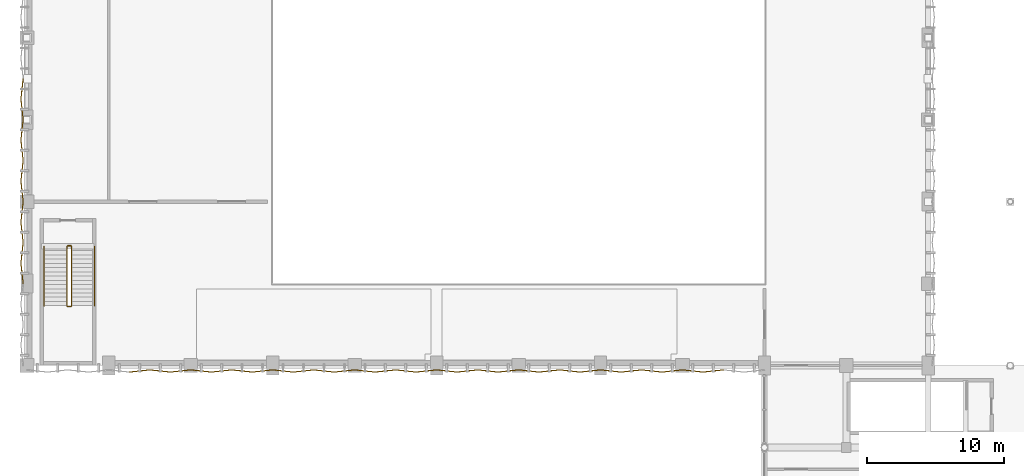
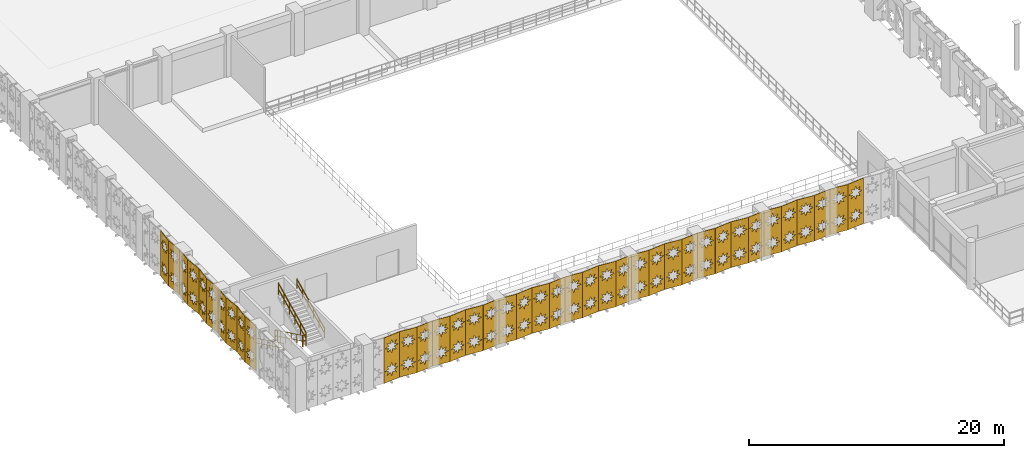
# One storey, part 107 of 116: 39 coverings, 6 railings.
"""IFC4 building model written with IfcOpenShell, lengths in metres."""

from ifc_helpers import new_model, si_unit, direction, frame, origin, origin_2d, place, context, subcontext, project, spatial, polyline, circle, outline, extrude, material, layer, layer_set, type_object, element, save


model = new_model("IFC4")

# Units and contexts
model_context = context("Model", 3, precision=1e-05, world=origin(), true_north=direction((0.0, 1.0)))
body_context = subcontext(model_context, "Body", "Model", "MODEL_VIEW")
ifc_project = project(units=[si_unit("LENGTHUNIT", "METRE"), si_unit("AREAUNIT", "SQUARE_METRE"), si_unit("VOLUMEUNIT", "CUBIC_METRE"), si_unit("PLANEANGLEUNIT", "RADIAN"), si_unit("MASSUNIT", "GRAM", prefix="KILO"), si_unit("THERMODYNAMICTEMPERATUREUNIT", "KELVIN"), si_unit("POWERUNIT", "WATT")], contexts=[model_context])

# Site, building, storey
site_placement = place(None, origin())
site = spatial("IfcSite", under=ifc_project, at=site_placement, CompositionType="ELEMENT")
building_placement = place(site_placement, origin())
building = spatial("IfcBuilding", under=site, at=building_placement, Name="Phaisarnlok Congress Hotel", CompositionType="ELEMENT")
storey_placement = place(building_placement, frame((0.0, 0.0, 10.5)))
storey = spatial("IfcBuildingStorey", under=building, at=storey_placement, Name="L02", CompositionType="ELEMENT", Elevation=10.5)

# Coverings
ifc_material_1 = material(Name="PVDF White Perforated Aluminium Alloy 5052", Category="aluminium")
ifc_layer = layer(ifc_material_1, 0.0400390625, Name="PVDF White Perforated Aluminium Alloy 5052")
ifc_layer_set = layer_set([ifc_layer], Name="PVDF White Perforated Aluminium Alloy 5052")
covering_type = type_object("IfcCoveringType", Name="COV-STAR-FOLD", PredefinedType="CLADDING", material=ifc_layer_set)
for number, where, z_axis, x_axis, name in (
    (1, (-0.300048828125, 48.0, 0.06005859375), (0.994517863207, 0.104566819602, 0.0), (-0.104566819602, 0.994517863207, 0.0), "Folded star-perforated hall screen SS-02 (V1W L02)"),
    (2, (-0.457763671875, 49.5, 0.06005859375), (0.994517863207, -0.104566819602, 0.0), (0.104566819602, 0.994517863207, 0.0), "Folded star-perforated hall screen SS-02 (V1W L02)"),
    (3, (-0.300048828125, 51.0, 0.06005859375), (0.994517863207, 0.104566819602, 0.0), (-0.104566819602, 0.994517863207, 0.0), "Folded star-perforated hall screen SS-02 (V1W L02)"),
    (4, (-0.457763671875, 52.5, 0.06005859375), (0.994517863207, -0.104566819602, 0.0), (0.104566819602, 0.994517863207, 0.0), "Folded star-perforated hall screen SS-02 (V1W L02)"),
    (5, (-0.300048828125, 54.0, 0.06005859375), (0.994517863207, 0.104566819602, 0.0), (-0.104566819602, 0.994517863207, 0.0), "Folded star-perforated hall screen SS-02 (V1W L02)"),
    (6, (-0.457763671875, 55.5, 0.06005859375), (0.994517863207, -0.104566819602, 0.0), (0.104566819602, 0.994517863207, 0.0), "Folded star-perforated hall screen SS-02 (V1W L02)"),
    (7, (-0.300048828125, 57.0, 0.06005859375), (0.994517863207, 0.104566819602, 0.0), (-0.104566819602, 0.994517863207, 0.0), "Folded star-perforated hall screen SS-02 (V1W L02)"),
    (8, (-0.457763671875, 58.5, 0.06005859375), (0.994517863207, -0.104566819602, 0.0), (0.104566819602, 0.994517863207, 0.0), "Folded star-perforated hall screen SS-02 (V1W L02)"),
    (9, (-0.300048828125, 60.0, 0.06005859375), (0.994517863207, 0.104566819602, 0.0), (-0.104566819602, 0.994517863207, 0.0), "Folded star-perforated hall screen SS-02 (V1W L02)"),
    (10, (-0.457763671875, 61.5, 0.06005859375), (0.994517863207, -0.104566819602, 0.0), (0.104566819602, 0.994517863207, 0.0), "Folded star-perforated hall screen SS-02 (V1W L02)"),
    (11, (7.5, 41.542236328125, 0.06005859375), (0.104566819602, -0.994517863207, 0.0), (0.994517863207, 0.104566819602, 0.0), "Folded star-perforated hall screen SS-02 (V1S L02)"),
    (12, (9.0, 41.699951171875, 0.06005859375), (-0.104566819602, -0.994517863207, 0.0), (0.994517863207, -0.104566819602, 0.0), "Folded star-perforated hall screen SS-02 (V1S L02)"),
    (13, (10.5, 41.542236328125, 0.06005859375), (0.104566819602, -0.994517863207, 0.0), (0.994517863207, 0.104566819602, 0.0), "Folded star-perforated hall screen SS-02 (V1S L02)"),
    (14, (12.0, 41.699951171875, 0.06005859375), (-0.104566819602, -0.994517863207, 0.0), (0.994517863207, -0.104566819602, 0.0), "Folded star-perforated hall screen SS-02 (V1S L02)"),
    (15, (13.5, 41.542236328125, 0.06005859375), (0.104566819602, -0.994517863207, 0.0), (0.994517863207, 0.104566819602, 0.0), "Folded star-perforated hall screen SS-02 (V1S L02)"),
    (16, (15.0, 41.699951171875, 0.06005859375), (-0.104566819602, -0.994517863207, 0.0), (0.994517863207, -0.104566819602, 0.0), "Folded star-perforated hall screen SS-02 (V1S L02)"),
    (17, (16.5, 41.542236328125, 0.06005859375), (0.104566819602, -0.994517863207, 0.0), (0.994517863207, 0.104566819602, 0.0), "Folded star-perforated hall screen SS-02 (V1S L02)"),
    (18, (18.0, 41.699951171875, 0.06005859375), (-0.104566819602, -0.994517863207, 0.0), (0.994517863207, -0.104566819602, 0.0), "Folded star-perforated hall screen SS-02 (V1S L02)"),
    (19, (19.5, 41.542236328125, 0.06005859375), (0.104566819602, -0.994517863207, 0.0), (0.994517863207, 0.104566819602, 0.0), "Folded star-perforated hall screen SS-02 (V1S L02)"),
    (20, (21.0, 41.699951171875, 0.06005859375), (-0.104566819602, -0.994517863207, 0.0), (0.994517863207, -0.104566819602, 0.0), "Folded star-perforated hall screen SS-02 (V1S L02)"),
    (21, (22.5, 41.542236328125, 0.06005859375), (0.104566819602, -0.994517863207, 0.0), (0.994517863207, 0.104566819602, 0.0), "Folded star-perforated hall screen SS-02 (V1S L02)"),
    (22, (24.0, 41.699951171875, 0.06005859375), (-0.104566819602, -0.994517863207, 0.0), (0.994517863207, -0.104566819602, 0.0), "Folded star-perforated hall screen SS-02 (V1S L02)"),
    (23, (25.5, 41.542236328125, 0.06005859375), (0.104566819602, -0.994517863207, 0.0), (0.994517863207, 0.104566819602, 0.0), "Folded star-perforated hall screen SS-02 (V1S L02)"),
    (24, (27.0, 41.699951171875, 0.06005859375), (-0.104566819602, -0.994517863207, 0.0), (0.994517863207, -0.104566819602, 0.0), "Folded star-perforated hall screen SS-02 (V1S L02)"),
    (25, (28.5, 41.542236328125, 0.06005859375), (0.104566819602, -0.994517863207, 0.0), (0.994517863207, 0.104566819602, 0.0), "Folded star-perforated hall screen SS-02 (V1S L02)"),
    (26, (30.0, 41.699951171875, 0.06005859375), (-0.104566819602, -0.994517863207, 0.0), (0.994517863207, -0.104566819602, 0.0), "Folded star-perforated hall screen SS-02 (V1S L02)"),
    (27, (31.5, 41.542236328125, 0.06005859375), (0.104566819602, -0.994517863207, 0.0), (0.994517863207, 0.104566819602, 0.0), "Folded star-perforated hall screen SS-02 (V1S L02)"),
    (28, (33.0, 41.699951171875, 0.06005859375), (-0.104566819602, -0.994517863207, 0.0), (0.994517863207, -0.104566819602, 0.0), "Folded star-perforated hall screen SS-02 (V1S L02)"),
    (29, (34.5, 41.542236328125, 0.06005859375), (0.104566819602, -0.994517863207, 0.0), (0.994517863207, 0.104566819602, 0.0), "Folded star-perforated hall screen SS-02 (V1S L02)"),
    (30, (36.0, 41.699951171875, 0.06005859375), (-0.104566819602, -0.994517863207, 0.0), (0.994517863207, -0.104566819602, 0.0), "Folded star-perforated hall screen SS-02 (V1S L02)"),
    (31, (37.5, 41.542236328125, 0.06005859375), (0.104566819602, -0.994517863207, 0.0), (0.994517863207, 0.104566819602, 0.0), "Folded star-perforated hall screen SS-02 (V1S L02)"),
    (32, (39.0, 41.699951171875, 0.06005859375), (-0.104566819602, -0.994517863207, 0.0), (0.994517863207, -0.104566819602, 0.0), "Folded star-perforated hall screen SS-02 (V1S L02)"),
    (33, (40.5, 41.542236328125, 0.06005859375), (0.104566819602, -0.994517863207, 0.0), (0.994517863207, 0.104566819602, 0.0), "Folded star-perforated hall screen SS-02 (V1S L02)"),
    (34, (42.0, 41.699951171875, 0.06005859375), (-0.104566819602, -0.994517863207, 0.0), (0.994517863207, -0.104566819602, 0.0), "Folded star-perforated hall screen SS-02 (V1S L02)"),
    (35, (43.5, 41.542236328125, 0.06005859375), (0.104566819602, -0.994517863207, 0.0), (0.994517863207, 0.104566819602, 0.0), "Folded star-perforated hall screen SS-02 (V1S L02)"),
    (36, (45.0, 41.699951171875, 0.06005859375), (-0.104566819602, -0.994517863207, 0.0), (0.994517863207, -0.104566819602, 0.0), "Folded star-perforated hall screen SS-02 (V1S L02)"),
    (37, (46.5, 41.542236328125, 0.06005859375), (0.104566819602, -0.994517863207, 0.0), (0.994517863207, 0.104566819602, 0.0), "Folded star-perforated hall screen SS-02 (V1S L02)"),
    (38, (48.0, 41.699951171875, 0.06005859375), (-0.104566819602, -0.994517863207, 0.0), (0.994517863207, -0.104566819602, 0.0), "Folded star-perforated hall screen SS-02 (V1S L02)"),
    (39, (49.5, 41.542236328125, 0.06005859375), (0.104566819602, -0.994517863207, 0.0), (0.994517863207, 0.104566819602, 0.0), "Folded star-perforated hall screen SS-02 (V1S L02)"),
):
    element("IfcCovering", number, at=place(storey_placement, frame(where, z_axis=z_axis, x_axis=x_axis)), inside=storey, type_object=covering_type, Name=name, PredefinedType="CLADDING", context=body_context, shape_type="SweptSolid", body=[
        extrude(outline(polyline([(0.0, 0.0), (1.5082685344258453, 0.0), (1.5082685344258453, 4.35986328125), (0.0, 4.35986328125), (0.0, 0.0)]), holes=[polyline([(1.0351, 0.9736), (1.2021, 0.6421), (0.8705, 0.8091), (0.7541, 0.4565), (0.6378, 0.8091), (0.3062, 0.6421), (0.4732, 0.9736), (0.1207, 1.09), (0.4732, 1.2064), (0.3062, 1.5379), (0.6378, 1.3709), (0.7541, 1.7235), (0.8705, 1.3709), (1.2021, 1.5379), (1.0351, 1.2064), (1.3876, 1.09), (1.0351, 0.9736)]), polyline([(1.0351, 3.1536), (1.2021, 2.8221), (0.8705, 2.9891), (0.7541, 2.6365), (0.6378, 2.9891), (0.3062, 2.8221), (0.4732, 3.1536), (0.1207, 3.27), (0.4732, 3.3864), (0.3062, 3.7179), (0.6378, 3.5509), (0.7541, 3.9035), (0.8705, 3.5509), (1.2021, 3.7179), (1.0351, 3.3864), (1.3876, 3.27), (1.0351, 3.1536)])]), origin(), (0.0, 0.0, 1.0), 0.0400390625),
    ])

# Railings
ifc_material_2 = material(Name="Painted Galvanised Steel S275", Category="steel")
railing_type_1 = type_object("IfcRailingType", Name="RLG-STR-GUARD", PredefinedType="BALUSTRADE", material=ifc_material_2)
railing_1_placement = place(storey_placement, frame((2.929931640625, 50.719970703125, 0.14990234375)))
element("IfcRailing", 40, at=railing_1_placement, inside=storey, type_object=railing_type_1, Name="L02 ST-03 stair guard 1", PredefinedType="BALUSTRADE", context=body_context, shape_type="SweptSolid", body=[
    extrude(circle(Radius=0.02392578125, at=origin_2d()), frame((0.0, 0.0, 1.076171875), z_axis=(0.0, -0.900154768424, 0.435570192832), x_axis=(1.0, 0.0, 0.0)), (0.0, 0.0, 1.0), 4.821533203125),
    extrude(circle(Radius=0.02392578125, at=origin_2d()), frame((0.0, 0.0, 0.52587890625), z_axis=(0.0, -0.900154768424, 0.435570192832), x_axis=(1.0, 0.0, 0.0)), (0.0, 0.0, 1.0), 4.821533203125),
    extrude(circle(Radius=0.02099609375, at=origin_2d()), origin(), (0.0, 0.0, 1.0), 1.052001953125),
    extrude(circle(Radius=0.02099609375, at=origin_2d()), frame((0.0, -0.867919921875, 0.419921875)), (0.0, 0.0, 1.0), 1.052001953125),
    extrude(circle(Radius=0.02099609375, at=origin_2d()), frame((0.0, -1.736083984375, 0.840087890625)), (0.0, 0.0, 1.0), 1.052001953125),
    extrude(circle(Radius=0.02099609375, at=origin_2d()), frame((0.0, -2.60400390625, 1.260009765625)), (0.0, 0.0, 1.0), 1.052001953125),
    extrude(circle(Radius=0.02099609375, at=origin_2d()), frame((0.0, -3.47216796875, 1.68017578125)), (0.0, 0.0, 1.0), 1.052001953125),
    extrude(circle(Radius=0.02099609375, at=origin_2d()), frame((0.0, -4.340087890625, 2.10009765625)), (0.0, 0.0, 1.0), 1.052001953125),
])
railing_2_placement = place(storey_placement, frame((2.97998046875, 46.330078125, 2.25)))
element("IfcRailing", 41, at=railing_2_placement, inside=storey, type_object=railing_type_1, Name="L02 ST-03 stair guard 2", PredefinedType="BALUSTRADE", context=body_context, shape_type="SweptSolid", body=[
    extrude(circle(Radius=0.02392578125, at=origin_2d()), frame((0.0, 0.0, 1.076171875), z_axis=(1.0, 0.0, 0.0), x_axis=(0.0, 1.0, 0.0)), (0.0, 0.0, 1.0), 0.239990234375),
    extrude(circle(Radius=0.02392578125, at=origin_2d()), frame((0.0, 0.0, 0.52587890625), z_axis=(1.0, 0.0, 0.0), x_axis=(0.0, 1.0, 0.0)), (0.0, 0.0, 1.0), 0.239990234375),
    extrude(circle(Radius=0.02099609375, at=origin_2d()), origin(), (0.0, 0.0, 1.0), 1.052001953125),
    extrude(circle(Radius=0.02099609375, at=origin_2d()), frame((0.239990234375, 0.0, 0.0)), (0.0, 0.0, 1.0), 1.052001953125),
])
railing_3_placement = place(storey_placement, frame((3.27001953125, 46.3798828125, 2.39990234375)))
element("IfcRailing", 42, at=railing_3_placement, inside=storey, type_object=railing_type_1, Name="L02 ST-03 stair guard 3", PredefinedType="BALUSTRADE", context=body_context, shape_type="SweptSolid", body=[
    extrude(circle(Radius=0.02392578125, at=origin_2d()), frame((0.0, 0.0, 1.076171875), z_axis=(0.0, 0.900154768424, 0.435570192832), x_axis=(-1.0, 0.0, 0.0)), (0.0, 0.0, 1.0), 4.821533203125),
    extrude(circle(Radius=0.02392578125, at=origin_2d()), frame((0.0, 0.0, 0.52587890625), z_axis=(0.0, 0.900154768424, 0.435570192832), x_axis=(-1.0, 0.0, 0.0)), (0.0, 0.0, 1.0), 4.821533203125),
    extrude(circle(Radius=0.02099609375, at=origin_2d()), origin(), (0.0, 0.0, 1.0), 1.052001953125),
    extrude(circle(Radius=0.02099609375, at=origin_2d()), frame((0.0, 0.867919921875, 0.419921875)), (0.0, 0.0, 1.0), 1.052001953125),
    extrude(circle(Radius=0.02099609375, at=origin_2d()), frame((0.0, 1.736083984375, 0.840087890625)), (0.0, 0.0, 1.0), 1.052001953125),
    extrude(circle(Radius=0.02099609375, at=origin_2d()), frame((0.0, 2.60400390625, 1.260009765625)), (0.0, 0.0, 1.0), 1.052001953125),
    extrude(circle(Radius=0.02099609375, at=origin_2d()), frame((0.0, 3.47216796875, 1.68017578125)), (0.0, 0.0, 1.0), 1.052001953125),
    extrude(circle(Radius=0.02099609375, at=origin_2d()), frame((0.0, 4.340087890625, 2.10009765625)), (0.0, 0.0, 1.0), 1.052001953125),
])
railing_4_placement = place(storey_placement, frame((2.97998046875, 50.77001953125, 0.0)))
element("IfcRailing", 43, at=railing_4_placement, inside=storey, type_object=railing_type_1, Name="L02 ST-03 stair guard 4", PredefinedType="BALUSTRADE", context=body_context, shape_type="SweptSolid", body=[
    extrude(circle(Radius=0.02392578125, at=origin_2d()), frame((0.0, 0.0, 1.076171875), z_axis=(1.0, 0.0, 0.0), x_axis=(0.0, 1.0, 0.0)), (0.0, 0.0, 1.0), 0.239990234375),
    extrude(circle(Radius=0.02392578125, at=origin_2d()), frame((0.0, 0.0, 0.52587890625), z_axis=(1.0, 0.0, 0.0), x_axis=(0.0, 1.0, 0.0)), (0.0, 0.0, 1.0), 0.239990234375),
    extrude(circle(Radius=0.02099609375, at=origin_2d()), origin(), (0.0, 0.0, 1.0), 1.052001953125),
    extrude(circle(Radius=0.02099609375, at=origin_2d()), frame((0.239990234375, 0.0, 0.0)), (0.0, 0.0, 1.0), 1.052001953125),
])
ifc_material_3 = material(Name="Brushed Stainless Steel Grade 304", Category="steel")
railing_type_2 = type_object("IfcRailingType", Name="RLG-STR-HRAIL", PredefinedType="HANDRAIL", material=ifc_material_3)
railing_5_placement = place(storey_placement, frame((1.25, 50.719970703125, 0.14990234375)))
element("IfcRailing", 44, at=railing_5_placement, inside=storey, type_object=railing_type_2, Name="L02 ST-03 stair handrail 1", PredefinedType="HANDRAIL", context=body_context, shape_type="SweptSolid", body=[
    extrude(circle(Radius=0.02392578125, at=origin_2d()), frame((0.0, 0.0, 0.8759765625), z_axis=(0.0, -0.900154768424, 0.435570192832), x_axis=(1.0, 0.0, 0.0)), (0.0, 0.0, 1.0), 4.821533203125),
    extrude(circle(Radius=0.02392578125, at=origin_2d()), frame((0.0, 0.0, 0.42578125), z_axis=(0.0, -0.900154768424, 0.435570192832), x_axis=(1.0, 0.0, 0.0)), (0.0, 0.0, 1.0), 4.821533203125),
    extrude(circle(Radius=0.02099609375, at=origin_2d()), origin(), (0.0, 0.0, 1.0), 0.851806640625),
    extrude(circle(Radius=0.02099609375, at=origin_2d()), frame((0.0, -0.867919921875, 0.419921875)), (0.0, 0.0, 1.0), 0.851806640625),
    extrude(circle(Radius=0.02099609375, at=origin_2d()), frame((0.0, -1.736083984375, 0.840087890625)), (0.0, 0.0, 1.0), 0.851806640625),
    extrude(circle(Radius=0.02099609375, at=origin_2d()), frame((0.0, -2.60400390625, 1.260009765625)), (0.0, 0.0, 1.0), 0.851806640625),
    extrude(circle(Radius=0.02099609375, at=origin_2d()), frame((0.0, -3.47216796875, 1.68017578125)), (0.0, 0.0, 1.0), 0.851806640625),
    extrude(circle(Radius=0.02099609375, at=origin_2d()), frame((0.0, -4.340087890625, 2.10009765625)), (0.0, 0.0, 1.0), 0.851806640625),
])
railing_6_placement = place(storey_placement, frame((4.949951171875, 46.3798828125, 2.39990234375)))
element("IfcRailing", 45, at=railing_6_placement, inside=storey, type_object=railing_type_2, Name="L02 ST-03 stair handrail 2", PredefinedType="HANDRAIL", context=body_context, shape_type="SweptSolid", body=[
    extrude(circle(Radius=0.02392578125, at=origin_2d()), frame((0.0, 0.0, 0.8759765625), z_axis=(0.0, 0.900154768424, 0.435570192832), x_axis=(-1.0, 0.0, 0.0)), (0.0, 0.0, 1.0), 4.821533203125),
    extrude(circle(Radius=0.02392578125, at=origin_2d()), frame((0.0, 0.0, 0.42578125), z_axis=(0.0, 0.900154768424, 0.435570192832), x_axis=(-1.0, 0.0, 0.0)), (0.0, 0.0, 1.0), 4.821533203125),
    extrude(circle(Radius=0.02099609375, at=origin_2d()), origin(), (0.0, 0.0, 1.0), 0.851806640625),
    extrude(circle(Radius=0.02099609375, at=origin_2d()), frame((0.0, 0.867919921875, 0.419921875)), (0.0, 0.0, 1.0), 0.851806640625),
    extrude(circle(Radius=0.02099609375, at=origin_2d()), frame((0.0, 1.736083984375, 0.840087890625)), (0.0, 0.0, 1.0), 0.851806640625),
    extrude(circle(Radius=0.02099609375, at=origin_2d()), frame((0.0, 2.60400390625, 1.260009765625)), (0.0, 0.0, 1.0), 0.851806640625),
    extrude(circle(Radius=0.02099609375, at=origin_2d()), frame((0.0, 3.47216796875, 1.68017578125)), (0.0, 0.0, 1.0), 0.851806640625),
    extrude(circle(Radius=0.02099609375, at=origin_2d()), frame((0.0, 4.340087890625, 2.10009765625)), (0.0, 0.0, 1.0), 0.851806640625),
])

save(model, "model.ifc")
